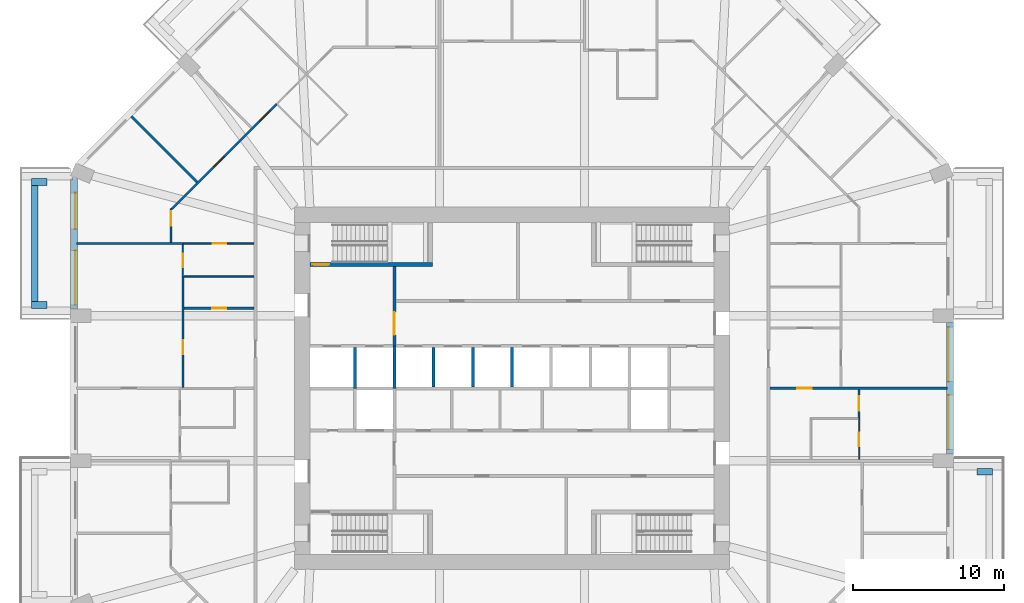
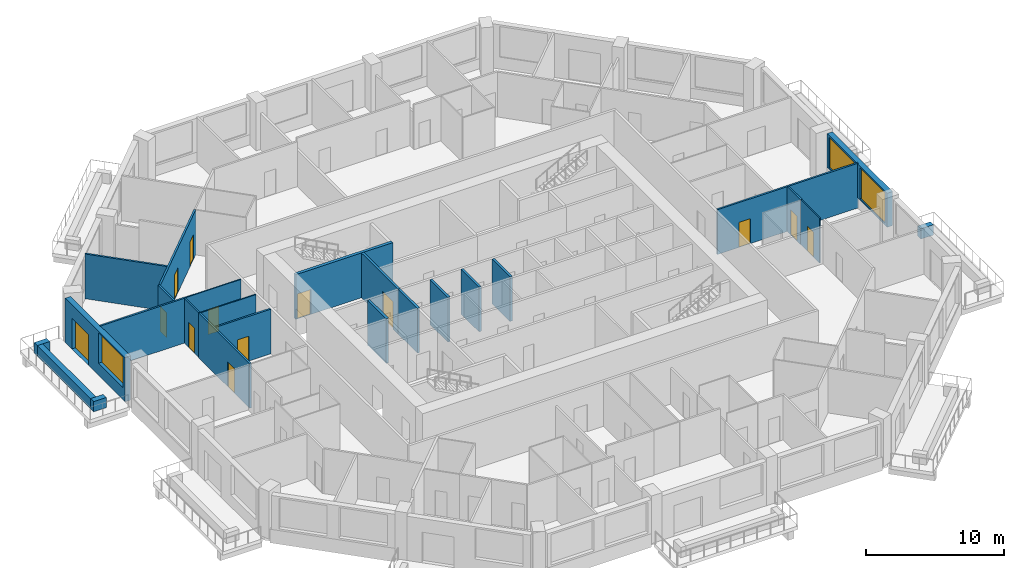
# One storey, part 7 of 13: 25 walls, 13 doors, 3 windows, 16 openings.
"""IFC4 building model written with IfcOpenShell, lengths in metres."""

from ifc_helpers import new_model, si_unit, direction, frame, frame_2d, origin, place, context, subcontext, project, spatial, rectangle, extrude, material, layer, layer_set, type_object, element, fill, save


model = new_model("IFC4")

# Units and contexts
model_context = context("Model", 3, precision=1e-05, world=origin(), true_north=direction((0.0, 1.0)))
body_context = subcontext(model_context, "Body", "Model", "MODEL_VIEW")
ifc_project = project(units=[si_unit("LENGTHUNIT", "METRE"), si_unit("AREAUNIT", "SQUARE_METRE"), si_unit("VOLUMEUNIT", "CUBIC_METRE"), si_unit("PLANEANGLEUNIT", "RADIAN"), si_unit("MASSUNIT", "GRAM", prefix="KILO")], contexts=[model_context])

# Site, building, storey
site_placement = place(None, origin())
site = spatial("IfcSite", under=ifc_project, at=site_placement, CompositionType="ELEMENT")
building_placement = place(site_placement, origin())
building = spatial("IfcBuilding", under=site, at=building_placement, Name="Msitu Wima Residences", CompositionType="ELEMENT")
storey_placement = place(building_placement, frame((0.0, 0.0, 59.10009765625)))
storey = spatial("IfcBuildingStorey", under=building, at=storey_placement, Name="L13", CompositionType="ELEMENT", Elevation=59.10009765625)

# Walls
ifc_material_1 = material(Name="Facing brick")
ifc_layer_1 = layer(ifc_material_1, 0.06494140625, Name="Facing brick")
ifc_material_2 = material(Name="Concrete C40/50", Category="concrete")
ifc_layer_2 = layer(ifc_material_2, 0.156005859375, Name="Concrete C40/50")
ifc_material_3 = material(Name="Waterproofing membrane")
ifc_layer_3 = layer(ifc_material_3, 0.00390625, Name="Waterproofing membrane")
ifc_material_4 = material(Name="Planting soil and planting")
ifc_layer_4 = layer(ifc_material_4, 0.22509765625, Name="Planting soil and planting")
ifc_layer_set_1 = layer_set([ifc_layer_1, ifc_layer_2, ifc_layer_3, ifc_layer_4], Name="Concrete C40/50")
wall_type_1 = type_object("IfcWallType", Name="Balcony planter PLANTER PL450", PredefinedType="USERDEFINED", material=ifc_layer_set_1)
wall_1_placement = place(storey_placement, frame((30.800048828125, -5.52490234375, 0.0), z_axis=(0.0, 0.0, 1.0), x_axis=(1.0, 0.0, 0.0)))
element("IfcWall", 1, at=wall_1_placement, inside=storey, type_object=wall_type_1, Name="Balcony planter E0 L13", ObjectType="PLANTER", PredefinedType="USERDEFINED", context=body_context, shape_type="SweptSolid", body=[
    extrude(rectangle(XDim=1.050048828125, YDim=0.449951171875, at=frame_2d((0.52490234375, 0.0))), origin(), (0.0, 0.0, 1.0), 0.89990234375),
])
wall_2_placement = place(storey_placement, frame((-31.625, 13.449951171875, 0.0), z_axis=(0.0, 0.0, 1.0), x_axis=(0.0, -1.0, 0.0)))
element("IfcWall", 2, at=wall_2_placement, inside=storey, type_object=wall_type_1, Name="Balcony planter W0 L13", ObjectType="PLANTER", PredefinedType="USERDEFINED", context=body_context, shape_type="SweptSolid", body=[
    extrude(rectangle(XDim=7.699951171875, YDim=0.449951171875, at=frame_2d((3.85009765625, 0.0))), origin(), (0.0, 0.0, 1.0), 0.89990234375),
])
for number, where, z_axis, x_axis, name in (
    (3, (-30.800048828125, 13.675048828125, 0.0), (0.0, 0.0, 1.0), (-1.0, 0.0, 0.0), "Balcony planter W0 L13"),
    (4, (-30.800048828125, 5.52490234375, 0.0), (0.0, 0.0, 1.0), (-1.0, 0.0, 0.0), "Balcony planter W0 L13"),
):
    element("IfcWall", number, at=place(storey_placement, frame(where, z_axis=z_axis, x_axis=x_axis)), inside=storey, type_object=wall_type_1, Name=name, ObjectType="PLANTER", PredefinedType="USERDEFINED", context=body_context, shape_type="SweptSolid", body=[
        extrude(rectangle(XDim=1.050048828125, YDim=0.449951171875, at=frame_2d((0.52490234375, 0.0))), origin(), (0.0, 0.0, 1.0), 0.89990234375),
    ])

# Wall, openings, windows
ifc_material_5 = material(Name="Brick (red buff mix)", Category="masonry")
ifc_layer_5 = layer(ifc_material_5, 0.449951171875)
ifc_layer_set_2 = layer_set([ifc_layer_5], Name="Brick (red buff mix)")
wall_type_2 = type_object("IfcWallType", Name="Brick infill wall BW450", PredefinedType="SOLIDWALL", material=ifc_layer_set_2)
wall_3_placement = place(storey_placement, frame((29.02490234375, -4.35009765625, 0.89990234375), z_axis=(0.0, 0.0, 1.0), x_axis=(0.0, 1.0, 0.0)))
wall_3 = element("IfcWall", 5, at=wall_3_placement, inside=storey, type_object=wall_type_2, Name="Brick infill wall L13 E1", PredefinedType="SOLIDWALL", context=body_context, shape_type="SweptSolid", body=[
    extrude(rectangle(XDim=8.7001953125, YDim=0.449951171875, at=frame_2d((4.35009765625, 0.0))), origin(), (0.0, 0.0, 1.0), 3.0),
])
opening_1_placement = place(wall_3_placement, frame((0.300048828125, 0.0, 0.14990234375)))
opening_1 = element("IfcOpeningElement", 6, at=opening_1_placement, cuts=wall_3, Name="Opening W13-15.002", PredefinedType="OPENING", context=body_context, shape_type="SweptSolid", body=[
    extrude(rectangle(XDim=3.60009765625, YDim=2.699951171875, at=frame_2d((1.800048828125, 1.35009765625))), frame((0.0, 0.23486328125, 0.0), z_axis=(0.0, -1.0, 0.0), x_axis=(1.0, 0.0, 0.0)), (0.0, 0.0, 1.0), 0.469970703125),
])
opening_2_placement = place(wall_3_placement, frame((4.800048828125, 0.0, 0.14990234375)))
opening_2 = element("IfcOpeningElement", 7, at=opening_2_placement, cuts=wall_3, Name="Opening W13-15.003", PredefinedType="OPENING", context=body_context, shape_type="SweptSolid", body=[
    extrude(rectangle(XDim=3.60009765625, YDim=2.699951171875, at=frame_2d((1.800048828125, 1.35009765625))), frame((0.0, 0.23486328125, 0.0), z_axis=(0.0, -1.0, 0.0), x_axis=(1.0, 0.0, 0.0)), (0.0, 0.0, 1.0), 0.469970703125),
])
ifc_material_6 = material(Name="Anodised aluminium, bronze finish, clear low-emissivity double glazing", Category="aluminium")
window_type = type_object("IfcWindowType", Name="Window W3600x2700", PartitioningType="DOUBLE_PANEL_VERTICAL", PredefinedType="WINDOW", material=ifc_material_6)
window_1_placement = place(opening_1_placement, origin())
window_1 = element("IfcWindow", 8, at=window_1_placement, inside=storey, type_object=window_type, Name="Window L13 E1.1", OverallHeight=2.699951171875, OverallWidth=3.60009765625, PartitioningType="SINGLE_PANEL", PredefinedType="WINDOW", context=body_context, shape_type="SweptSolid", body=[
    extrude(rectangle(XDim=3.60009765625, YDim=2.699951171875, at=frame_2d((1.800048828125, 1.35009765625))), frame((0.0, 0.135009765625, 0.0), z_axis=(0.0, -1.0, 0.0), x_axis=(1.0, 0.0, 0.0)), (0.0, 0.0, 1.0), 0.06005859375),
])
fill(opening_1, window_1)
window_2_placement = place(opening_2_placement, origin())
window_2 = element("IfcWindow", 9, at=window_2_placement, inside=storey, type_object=window_type, Name="Window L13 E1.2", OverallHeight=2.699951171875, OverallWidth=3.60009765625, PartitioningType="SINGLE_PANEL", PredefinedType="WINDOW", context=body_context, shape_type="SweptSolid", body=[
    extrude(rectangle(XDim=3.60009765625, YDim=2.699951171875, at=frame_2d((1.800048828125, 1.35009765625))), frame((0.0, 0.135009765625, 0.0), z_axis=(0.0, -1.0, 0.0), x_axis=(1.0, 0.0, 0.0)), (0.0, 0.0, 1.0), 0.06005859375),
])
fill(opening_2, window_2)

# Wall, openings, door, window
wall_4_placement = place(storey_placement, frame((-29.02490234375, 13.912841796875, 0.0), z_axis=(0.0, 0.0, 1.0), x_axis=(0.0, -1.0, 0.0)))
wall_4 = element("IfcWall", 10, at=wall_4_placement, inside=storey, type_object=wall_type_2, Name="Brick infill wall L13 W0", PredefinedType="SOLIDWALL", context=body_context, shape_type="SweptSolid", body=[
    extrude(rectangle(XDim=8.662841796875, YDim=0.449951171875, at=frame_2d((4.33154296875, 0.0))), origin(), (0.0, 0.0, 1.0), 3.89990234375),
])
opening_3_placement = place(wall_4_placement, frame((0.9658203125, 0.0, 0.0)))
opening_3 = element("IfcOpeningElement", 11, at=opening_3_placement, cuts=wall_4, Name="Opening D13-15.009", PredefinedType="OPENING", context=body_context, shape_type="SweptSolid", body=[
    extrude(rectangle(XDim=2.39990234375, YDim=2.699951171875, at=frame_2d((1.199951171875, 1.35009765625))), frame((0.0, 0.23486328125, 0.0), z_axis=(0.0, -1.0, 0.0), x_axis=(1.0, 0.0, 0.0)), (0.0, 0.0, 1.0), 0.469970703125),
])
opening_4_placement = place(wall_4_placement, frame((4.781494140625, 0.0, 1.050048828125)))
opening_4 = element("IfcOpeningElement", 12, at=opening_4_placement, cuts=wall_4, Name="Opening W13-15.027", PredefinedType="OPENING", context=body_context, shape_type="SweptSolid", body=[
    extrude(rectangle(XDim=3.60009765625, YDim=2.699951171875, at=frame_2d((1.800048828125, 1.35009765625))), frame((0.0, 0.23486328125, 0.0), z_axis=(0.0, -1.0, 0.0), x_axis=(1.0, 0.0, 0.0)), (0.0, 0.0, 1.0), 0.469970703125),
])
door_type_1 = type_object("IfcDoorType", Name="Balcony door D2400x2700", OperationType="SLIDING_TO_LEFT", PredefinedType="DOOR", material=ifc_material_6)
door_1_placement = place(opening_3_placement, origin())
door_1 = element("IfcDoor", 13, at=door_1_placement, inside=storey, type_object=door_type_1, Name="Balcony door L13 W0", OperationType="SINGLE_SWING_LEFT", OverallHeight=2.699951171875, OverallWidth=2.39990234375, PredefinedType="DOOR", context=body_context, shape_type="SweptSolid", body=[
    extrude(rectangle(XDim=2.39990234375, YDim=2.699951171875, at=frame_2d((1.199951171875, 1.35009765625))), frame((0.0, 0.1298828125, 0.0), z_axis=(0.0, -1.0, 0.0), x_axis=(1.0, 0.0, 0.0)), (0.0, 0.0, 1.0), 0.050048828125),
])
fill(opening_3, door_1)
window_3_placement = place(opening_4_placement, origin())
window_3 = element("IfcWindow", 14, at=window_3_placement, inside=storey, type_object=window_type, Name="Window L13 W0.2", OverallHeight=2.699951171875, OverallWidth=3.60009765625, PartitioningType="SINGLE_PANEL", PredefinedType="WINDOW", context=body_context, shape_type="SweptSolid", body=[
    extrude(rectangle(XDim=3.60009765625, YDim=2.699951171875, at=frame_2d((1.800048828125, 1.35009765625))), frame((0.0, 0.135009765625, 0.0), z_axis=(0.0, -1.0, 0.0), x_axis=(1.0, 0.0, 0.0)), (0.0, 0.0, 1.0), 0.06005859375),
])
fill(opening_4, window_3)

# Wall, opening, door
ifc_material_7 = material(Name="Plaster")
ifc_layer_6 = layer(ifc_material_7, 0.011962890625, Name="Plaster")
ifc_material_8 = material(Name="Concrete blockwork", Category="masonry")
ifc_layer_7 = layer(ifc_material_8, 0.176025390625, Name="Concrete blockwork")
ifc_layer_8 = layer(ifc_material_7, 0.011962890625, Name="Plaster")
ifc_layer_set_3 = layer_set([ifc_layer_6, ifc_layer_7, ifc_layer_8], Name="Concrete blockwork")
wall_type_3 = type_object("IfcWallType", Name="Corridor wall FW200", PredefinedType="PARTITIONING", material=ifc_layer_set_3)
wall_5_placement = place(storey_placement, frame((-7.800048828125, 2.800048828125, 0.0), z_axis=(0.0, 0.0, 1.0), x_axis=(0.0, 1.0, 0.0)))
wall_5 = element("IfcWall", 15, at=wall_5_placement, inside=storey, type_object=wall_type_3, Name="Corridor wall", PredefinedType="PARTITIONING", context=body_context, shape_type="SweptSolid", body=[
    extrude(rectangle(XDim=5.27490234375, YDim=0.199951171875, at=frame_2d((2.637451171875, 0.0))), origin(), (0.0, 0.0, 1.0), 3.949951171875),
])
opening_5_placement = place(wall_5_placement, frame((0.75, 0.0, 0.0)))
opening_5 = element("IfcOpeningElement", 16, at=opening_5_placement, cuts=wall_5, Name="Opening D13-15.016", PredefinedType="OPENING", context=body_context, shape_type="SweptSolid", body=[
    extrude(rectangle(XDim=1.5, YDim=2.39990234375, at=frame_2d((0.75, 1.199951171875))), frame((0.0, 0.10986328125, 0.0), z_axis=(0.0, -1.0, 0.0), x_axis=(1.0, 0.0, 0.0)), (0.0, 0.0, 1.0), 0.219970703125),
])
ifc_material_9 = material(Name="Steel framed glazed door, fire resisting", Category="steel")
door_type_2 = type_object("IfcDoorType", Name="Lobby door D07 1500x2400", OperationType="DOUBLE_DOOR_SINGLE_SWING", PredefinedType="DOOR", material=ifc_material_9)
door_2_placement = place(opening_5_placement, origin())
door_2 = element("IfcDoor", 17, at=door_2_placement, inside=storey, type_object=door_type_2, Name="Lobby door", OperationType="DOUBLE_DOOR_SINGLE_SWING", OverallHeight=2.39990234375, OverallWidth=1.5, PredefinedType="DOOR", context=body_context, shape_type="SweptSolid", body=[
    extrude(rectangle(XDim=1.5, YDim=2.39990234375, at=frame_2d((0.75, 1.199951171875))), frame((0.0, 0.02490234375, 0.0), z_axis=(0.0, -1.0, 0.0), x_axis=(1.0, 0.0, 0.0)), (0.0, 0.0, 1.0), 0.050048828125),
])
fill(opening_5, door_2)

# Walls
ifc_layer_9 = layer(ifc_material_7, 0.011962890625, Name="Plaster")
ifc_layer_10 = layer(ifc_material_8, 0.1259765625, Name="Concrete blockwork")
ifc_layer_11 = layer(ifc_material_7, 0.011962890625, Name="Plaster")
ifc_layer_set_4 = layer_set([ifc_layer_9, ifc_layer_10, ifc_layer_11], Name="Concrete blockwork")
wall_type_4 = type_object("IfcWallType", Name="Partition PW150", PredefinedType="PARTITIONING", material=ifc_layer_set_4)
wall_6_placement = place(storey_placement, frame((-28.85498046875, 9.60009765625, 0.0), z_axis=(0.0, 0.0, 1.0), x_axis=(1.0, 0.0, 0.0)))
element("IfcWall", 18, at=wall_6_placement, inside=storey, type_object=wall_type_4, Name="Partition", PredefinedType="PARTITIONING", context=body_context, shape_type="SweptSolid", body=[
    extrude(rectangle(XDim=7.074951171875, YDim=0.14990234375, at=frame_2d((3.53759765625, 0.0))), origin(), (0.0, 0.0, 1.0), 3.949951171875),
])
wall_7_placement = place(storey_placement, frame((-25.2177734375, 18.017578125, 0.0), z_axis=(0.0, 0.0, 1.0), x_axis=(0.707126629519, -0.707086932297, 0.0)))
element("IfcWall", 19, at=wall_7_placement, inside=storey, type_object=wall_type_4, Name="Partition", PredefinedType="PARTITIONING", context=body_context, shape_type="SweptSolid", body=[
    extrude(rectangle(XDim=6.150146484375, YDim=0.14990234375, at=frame_2d((3.0751953125, 0.0))), origin(), (0.0, 0.0, 1.0), 3.949951171875),
])

# Wall, opening, door
wall_8_placement = place(storey_placement, frame((-22.60009765625, 9.675048828125, 0.0), z_axis=(0.0, 0.0, 1.0), x_axis=(0.0, 1.0, 0.0)))
wall_8 = element("IfcWall", 20, at=wall_8_placement, inside=storey, type_object=wall_type_4, Name="Partition", PredefinedType="PARTITIONING", context=body_context, shape_type="SweptSolid", body=[
    extrude(rectangle(XDim=2.23193359375, YDim=0.14990234375, at=frame_2d((1.115966796875, 0.0))), origin(), (0.0, 0.0, 1.0), 3.949951171875),
])
opening_6_placement = place(wall_8_placement, frame((1.10009765625, 0.0, 0.0)))
opening_6 = element("IfcOpeningElement", 21, at=opening_6_placement, cuts=wall_8, Name="Opening D13-15.064", PredefinedType="OPENING", context=body_context, shape_type="SweptSolid", body=[
    extrude(rectangle(XDim=0.949951171875, YDim=2.199951171875, at=frame_2d((0.47509765625, 1.10009765625))), frame((0.0, 0.0849609375, 0.0), z_axis=(0.0, -1.0, 0.0), x_axis=(1.0, 0.0, 0.0)), (0.0, 0.0, 1.0), 0.169921875),
])
ifc_material_10 = material(Name="Timber flush door", Category="wood")
door_type_3 = type_object("IfcDoorType", Name="Room door D12 950x2200", OperationType="SINGLE_SWING_LEFT", PredefinedType="DOOR", material=ifc_material_10)
door_3_placement = place(opening_6_placement, origin())
door_3 = element("IfcDoor", 22, at=door_3_placement, inside=storey, type_object=door_type_3, Name="Room door", OperationType="SINGLE_SWING_LEFT", OverallHeight=2.199951171875, OverallWidth=0.949951171875, PredefinedType="DOOR", context=body_context, shape_type="SweptSolid", body=[
    extrude(rectangle(XDim=0.949951171875, YDim=2.199951171875, at=frame_2d((0.47509765625, 1.10009765625))), frame((0.0, 0.02490234375, 0.0), z_axis=(0.0, -1.0, 0.0), x_axis=(1.0, 0.0, 0.0)), (0.0, 0.0, 1.0), 0.050048828125),
])
fill(opening_6, door_3)

# Wall, openings, doors
wall_9_placement = place(storey_placement, frame((-22.546875, 11.885009765625, 0.0), z_axis=(0.0, 0.0, 1.0), x_axis=(0.707106781187, 0.707106781187, 0.0)))
wall_9 = element("IfcWall", 23, at=wall_9_placement, inside=storey, type_object=wall_type_4, Name="Partition", PredefinedType="PARTITIONING", context=body_context, shape_type="SweptSolid", body=[
    extrude(rectangle(XDim=9.830078125, YDim=0.14990234375, at=frame_2d((4.9150390625, 0.0))), origin(), (0.0, 0.0, 1.0), 3.949951171875),
])
opening_7_placement = place(wall_9_placement, frame((3.949951171875, 0.0, 0.0)))
opening_7 = element("IfcOpeningElement", 24, at=opening_7_placement, cuts=wall_9, Name="Opening D13-15.059", PredefinedType="OPENING", context=body_context, shape_type="SweptSolid", body=[
    extrude(rectangle(XDim=0.949951171875, YDim=2.199951171875, at=frame_2d((0.47509765625, 1.10009765625))), frame((0.0, 0.0849609375, 0.0), z_axis=(0.0, -1.0, 0.0), x_axis=(1.0, 0.0, 0.0)), (0.0, 0.0, 1.0), 0.169921875),
])
opening_8_placement = place(wall_9_placement, frame((8.25, 0.0, 0.0)))
opening_8 = element("IfcOpeningElement", 25, at=opening_8_placement, cuts=wall_9, Name="Opening D13-15.061", PredefinedType="OPENING", context=body_context, shape_type="SweptSolid", body=[
    extrude(rectangle(XDim=0.949951171875, YDim=2.199951171875, at=frame_2d((0.47509765625, 1.10009765625))), frame((0.0, 0.0849609375, 0.0), z_axis=(0.0, -1.0, 0.0), x_axis=(1.0, 0.0, 0.0)), (0.0, 0.0, 1.0), 0.169921875),
])
door_4_placement = place(opening_7_placement, origin())
door_4 = element("IfcDoor", 26, at=door_4_placement, inside=storey, type_object=door_type_3, Name="Room door", OperationType="SINGLE_SWING_LEFT", OverallHeight=2.199951171875, OverallWidth=0.949951171875, PredefinedType="DOOR", context=body_context, shape_type="SweptSolid", body=[
    extrude(rectangle(XDim=0.949951171875, YDim=2.199951171875, at=frame_2d((0.47509765625, 1.10009765625))), frame((0.0, 0.02490234375, 0.0), z_axis=(0.0, -1.0, 0.0), x_axis=(1.0, 0.0, 0.0)), (0.0, 0.0, 1.0), 0.050048828125),
])
fill(opening_7, door_4)
door_5_placement = place(opening_8_placement, origin())
door_5 = element("IfcDoor", 27, at=door_5_placement, inside=storey, type_object=door_type_3, Name="Room door", OperationType="SINGLE_SWING_LEFT", OverallHeight=2.199951171875, OverallWidth=0.949951171875, PredefinedType="DOOR", context=body_context, shape_type="SweptSolid", body=[
    extrude(rectangle(XDim=0.949951171875, YDim=2.199951171875, at=frame_2d((0.47509765625, 1.10009765625))), frame((0.0, 0.02490234375, 0.0), z_axis=(0.0, -1.0, 0.0), x_axis=(1.0, 0.0, 0.0)), (0.0, 0.0, 1.0), 0.050048828125),
])
fill(opening_8, door_5)

# Wall, opening, door
wall_10_placement = place(storey_placement, frame((-21.800048828125, 0.050048828125, 0.0), z_axis=(0.0, 0.0, 1.0), x_axis=(0.0, 1.0, 0.0)))
wall_10 = element("IfcWall", 28, at=wall_10_placement, inside=storey, type_object=wall_type_4, Name="Partition", PredefinedType="PARTITIONING", context=body_context, shape_type="SweptSolid", body=[
    extrude(rectangle(XDim=7.369873046875, YDim=0.14990234375, at=frame_2d((3.68505859375, 0.0))), origin(), (0.0, 0.0, 1.0), 3.949951171875),
])
opening_9_placement = place(wall_10_placement, frame((2.199951171875, 0.0, 0.0)))
opening_9 = element("IfcOpeningElement", 29, at=opening_9_placement, cuts=wall_10, Name="Opening D13-15.046", PredefinedType="OPENING", context=body_context, shape_type="SweptSolid", body=[
    extrude(rectangle(XDim=0.949951171875, YDim=2.199951171875, at=frame_2d((0.47509765625, 1.10009765625))), frame((0.0, 0.0849609375, 0.0), z_axis=(0.0, -1.0, 0.0), x_axis=(1.0, 0.0, 0.0)), (0.0, 0.0, 1.0), 0.169921875),
])
door_6_placement = place(opening_9_placement, origin())
door_6 = element("IfcDoor", 30, at=door_6_placement, inside=storey, type_object=door_type_3, Name="Room door", OperationType="SINGLE_SWING_LEFT", OverallHeight=2.199951171875, OverallWidth=0.949951171875, PredefinedType="DOOR", context=body_context, shape_type="SweptSolid", body=[
    extrude(rectangle(XDim=0.949951171875, YDim=2.199951171875, at=frame_2d((0.47509765625, 1.10009765625))), frame((0.0, 0.02490234375, 0.0), z_axis=(0.0, -1.0, 0.0), x_axis=(1.0, 0.0, 0.0)), (0.0, 0.0, 1.0), 0.050048828125),
])
fill(opening_9, door_6)

wall_11_placement = place(storey_placement, frame((-21.72509765625, 5.300048828125, 0.0), z_axis=(0.0, 0.0, 1.0), x_axis=(1.0, 0.0, 0.0)))
wall_11 = element("IfcWall", 31, at=wall_11_placement, inside=storey, type_object=wall_type_4, Name="Partition", PredefinedType="PARTITIONING", context=body_context, shape_type="SweptSolid", body=[
    extrude(rectangle(XDim=4.625, YDim=0.14990234375, at=frame_2d((2.3125, 0.0))), origin(), (0.0, 0.0, 1.0), 3.949951171875),
])
opening_10_placement = place(wall_11_placement, frame((1.85009765625, 0.0, 0.0)))
opening_10 = element("IfcOpeningElement", 32, at=opening_10_placement, cuts=wall_11, Name="Opening D13-15.047", PredefinedType="OPENING", context=body_context, shape_type="SweptSolid", body=[
    extrude(rectangle(XDim=0.949951171875, YDim=2.199951171875, at=frame_2d((0.47509765625, 1.10009765625))), frame((0.0, 0.0849609375, 0.0), z_axis=(0.0, -1.0, 0.0), x_axis=(1.0, 0.0, 0.0)), (0.0, 0.0, 1.0), 0.169921875),
])
door_7_placement = place(opening_10_placement, origin())
door_7 = element("IfcDoor", 33, at=door_7_placement, inside=storey, type_object=door_type_3, Name="Room door", OperationType="SINGLE_SWING_RIGHT", OverallHeight=2.199951171875, OverallWidth=0.949951171875, PredefinedType="DOOR", context=body_context, shape_type="SweptSolid", body=[
    extrude(rectangle(XDim=0.949951171875, YDim=2.199951171875, at=frame_2d((0.47509765625, 1.10009765625))), frame((0.0, 0.02490234375, 0.0), z_axis=(0.0, -1.0, 0.0), x_axis=(1.0, 0.0, 0.0)), (0.0, 0.0, 1.0), 0.050048828125),
])
fill(opening_10, door_7)

wall_12_placement = place(storey_placement, frame((17.10009765625, 0.0, 0.0), z_axis=(0.0, 0.0, 1.0), x_axis=(1.0, 0.0, 0.0)))
wall_12 = element("IfcWall", 34, at=wall_12_placement, inside=storey, type_object=wall_type_4, Name="Partition", PredefinedType="PARTITIONING", context=body_context, shape_type="SweptSolid", body=[
    extrude(rectangle(XDim=11.7548828125, YDim=0.14990234375, at=frame_2d((5.87744140625, 0.0))), origin(), (0.0, 0.0, 1.0), 3.949951171875),
])
opening_11_placement = place(wall_12_placement, frame((1.800048828125, 0.0, 0.0)))
opening_11 = element("IfcOpeningElement", 35, at=opening_11_placement, cuts=wall_12, Name="Opening D13-15.038", PredefinedType="OPENING", context=body_context, shape_type="SweptSolid", body=[
    extrude(rectangle(XDim=0.949951171875, YDim=2.199951171875, at=frame_2d((0.47509765625, 1.10009765625))), frame((0.0, 0.0849609375, 0.0), z_axis=(0.0, -1.0, 0.0), x_axis=(1.0, 0.0, 0.0)), (0.0, 0.0, 1.0), 0.169921875),
])
door_8_placement = place(opening_11_placement, origin())
door_8 = element("IfcDoor", 36, at=door_8_placement, inside=storey, type_object=door_type_3, Name="Room door", OperationType="SINGLE_SWING_RIGHT", OverallHeight=2.199951171875, OverallWidth=0.949951171875, PredefinedType="DOOR", context=body_context, shape_type="SweptSolid", body=[
    extrude(rectangle(XDim=0.949951171875, YDim=2.199951171875, at=frame_2d((0.47509765625, 1.10009765625))), frame((0.0, 0.02490234375, 0.0), z_axis=(0.0, -1.0, 0.0), x_axis=(1.0, 0.0, 0.0)), (0.0, 0.0, 1.0), 0.050048828125),
])
fill(opening_11, door_8)

wall_13_placement = place(storey_placement, frame((23.0, -1.97998046875, 0.0), z_axis=(0.0, 0.0, 1.0), x_axis=(0.0, 1.0, 0.0)))
wall_13 = element("IfcWall", 37, at=wall_13_placement, inside=storey, type_object=wall_type_4, Name="Partition", PredefinedType="PARTITIONING", context=body_context, shape_type="SweptSolid", body=[
    extrude(rectangle(XDim=1.905029296875, YDim=0.14990234375, at=frame_2d((0.95263671875, 0.0))), origin(), (0.0, 0.0, 1.0), 3.949951171875),
])
opening_12_placement = place(wall_13_placement, frame((0.5, 0.0, 0.0)))
opening_12 = element("IfcOpeningElement", 38, at=opening_12_placement, cuts=wall_13, Name="Opening D13-15.071", PredefinedType="OPENING", context=body_context, shape_type="SweptSolid", body=[
    extrude(rectangle(XDim=0.949951171875, YDim=2.199951171875, at=frame_2d((0.47509765625, 1.10009765625))), frame((0.0, 0.0849609375, 0.0), z_axis=(0.0, -1.0, 0.0), x_axis=(1.0, 0.0, 0.0)), (0.0, 0.0, 1.0), 0.169921875),
])
door_9_placement = place(opening_12_placement, origin())
door_9 = element("IfcDoor", 39, at=door_9_placement, inside=storey, type_object=door_type_3, Name="Room door", OperationType="SINGLE_SWING_LEFT", OverallHeight=2.199951171875, OverallWidth=0.949951171875, PredefinedType="DOOR", context=body_context, shape_type="SweptSolid", body=[
    extrude(rectangle(XDim=0.949951171875, YDim=2.199951171875, at=frame_2d((0.47509765625, 1.10009765625))), frame((0.0, 0.02490234375, 0.0), z_axis=(0.0, -1.0, 0.0), x_axis=(1.0, 0.0, 0.0)), (0.0, 0.0, 1.0), 0.050048828125),
])
fill(opening_12, door_9)

# Walls
ifc_material_11 = material(Name="Fire-rated board")
ifc_layer_12 = layer(ifc_material_11, 0.02490234375, Name="Fire-rated board")
ifc_material_12 = material(Name="Light-gauge stud framing with mineral wool")
ifc_layer_13 = layer(ifc_material_12, 0.14990234375, Name="Light-gauge stud framing with mineral wool")
ifc_layer_14 = layer(ifc_material_11, 0.02490234375, Name="Fire-rated board")
ifc_layer_set_5 = layer_set([ifc_layer_12, ifc_layer_13, ifc_layer_14], Name="Light-gauge stud framing with mineral wool")
wall_type_5 = type_object("IfcWallType", Name="Shaft wall SH200", PredefinedType="PARTITIONING", material=ifc_layer_set_5)
wall_14_placement = place(storey_placement, frame((-10.39990234375, 0.0, 0.0), z_axis=(0.0, 0.0, 1.0), x_axis=(0.0, 1.0, 0.0)))
element("IfcWall", 40, at=wall_14_placement, inside=storey, type_object=wall_type_5, Name="Shaft wall", PredefinedType="PARTITIONING", context=body_context, shape_type="SweptSolid", body=[
    extrude(rectangle(XDim=2.699951171875, YDim=0.199951171875, at=frame_2d((1.35009765625, 0.0))), origin(), (0.0, 0.0, 1.0), 3.949951171875),
])
wall_15_placement = place(storey_placement, frame((-7.800048828125, 0.0, 0.0), z_axis=(0.0, 0.0, 1.0), x_axis=(0.0, 1.0, 0.0)))
element("IfcWall", 41, at=wall_15_placement, inside=storey, type_object=wall_type_5, Name="Shaft wall", PredefinedType="PARTITIONING", context=body_context, shape_type="SweptSolid", body=[
    extrude(rectangle(XDim=2.800048828125, YDim=0.199951171875, at=frame_2d((1.39990234375, 0.0))), origin(), (0.0, 0.0, 1.0), 3.949951171875),
])
for number, where, z_axis, x_axis, name in (
    (42, (-5.199951171875, 0.10009765625, 0.0), (0.0, 0.0, 1.0), (0.0, 1.0, 0.0), "Shaft wall"),
    (43, (-2.60009765625, 0.10009765625, 0.0), (0.0, 0.0, 1.0), (0.0, 1.0, 0.0), "Shaft wall"),
    (44, (0.0, 0.10009765625, 0.0), (0.0, 0.0, 1.0), (0.0, 1.0, 0.0), "Shaft wall"),
):
    element("IfcWall", number, at=place(storey_placement, frame(where, z_axis=z_axis, x_axis=x_axis)), inside=storey, type_object=wall_type_5, Name=name, PredefinedType="PARTITIONING", context=body_context, shape_type="SweptSolid", body=[
        extrude(rectangle(XDim=2.599853515625, YDim=0.199951171875, at=frame_2d((1.2998046875, 0.0))), origin(), (0.0, 0.0, 1.0), 3.949951171875),
    ])

# Wall, opening, door
ifc_material_13 = material(Name="Concrete C50/60", Category="concrete")
ifc_layer_15 = layer(ifc_material_13, 0.25)
ifc_layer_set_6 = layer_set([ifc_layer_15], Name="Concrete C50/60")
wall_type_6 = type_object("IfcWallType", Name="Stair enclosure wall SW250", PredefinedType="SHEAR", material=ifc_layer_set_6)
wall_16_placement = place(storey_placement, frame((-13.3701171875, 8.199951171875, 0.0), z_axis=(0.0, 0.0, 1.0), x_axis=(1.0, 0.0, 0.0)))
wall_16 = element("IfcWall", 45, at=wall_16_placement, inside=storey, type_object=wall_type_6, Name="Stair enclosure wall", PredefinedType="SHEAR", context=body_context, shape_type="SweptSolid", body=[
    extrude(rectangle(XDim=8.09521484375, YDim=0.25, at=frame_2d((4.047607421875, 0.0))), origin(), (0.0, 0.0, 1.0), 3.949951171875),
])
opening_13_placement = place(wall_16_placement, frame((0.14990234375, 0.0, 0.0)))
opening_13 = element("IfcOpeningElement", 46, at=opening_13_placement, cuts=wall_16, Name="Opening D13-15.033", PredefinedType="OPENING", context=body_context, shape_type="SweptSolid", body=[
    extrude(rectangle(XDim=1.10009765625, YDim=2.199951171875, at=frame_2d((0.550048828125, 1.10009765625))), frame((0.0, 0.135009765625, 0.0), z_axis=(0.0, -1.0, 0.0), x_axis=(1.0, 0.0, 0.0)), (0.0, 0.0, 1.0), 0.27001953125),
])
ifc_material_14 = material(Name="Steel door, fire resisting, panic bar", Category="steel")
door_type_4 = type_object("IfcDoorType", Name="Stair door D06 1100x2200", OperationType="SINGLE_SWING_LEFT", PredefinedType="DOOR", material=ifc_material_14)
door_10_placement = place(opening_13_placement, origin())
door_10 = element("IfcDoor", 47, at=door_10_placement, inside=storey, type_object=door_type_4, Name="Stair door", OperationType="SINGLE_SWING_LEFT", OverallHeight=2.199951171875, OverallWidth=1.10009765625, PredefinedType="DOOR", context=body_context, shape_type="SweptSolid", body=[
    extrude(rectangle(XDim=1.10009765625, YDim=2.199951171875, at=frame_2d((0.550048828125, 1.10009765625))), frame((0.0, 0.02490234375, 0.0), z_axis=(0.0, -1.0, 0.0), x_axis=(1.0, 0.0, 0.0)), (0.0, 0.0, 1.0), 0.050048828125),
])
fill(opening_13, door_10)

ifc_material_15 = material(Name="Ceramic tiles")
ifc_layer_16 = layer(ifc_material_15, 0.008056640625, Name="Ceramic tiles")
ifc_material_16 = material(Name="Moisture-resistant board")
ifc_layer_17 = layer(ifc_material_16, 0.012451171875, Name="Moisture-resistant board")
ifc_layer_18 = layer(ifc_material_12, 0.06689453125, Name="Light-gauge stud framing with mineral wool")
ifc_layer_19 = layer(ifc_material_16, 0.012451171875, Name="Moisture-resistant board")
ifc_layer_set_7 = layer_set([ifc_layer_16, ifc_layer_17, ifc_layer_18, ifc_layer_19], Name="Light-gauge stud framing with mineral wool")
wall_type_7 = type_object("IfcWallType", Name="Wet wall PW100", PredefinedType="PARTITIONING", material=ifc_layer_set_7)
wall_17_placement = place(storey_placement, frame((-21.780029296875, 9.60009765625, 0.0), z_axis=(0.0, 0.0, 1.0), x_axis=(1.0, 0.0, 0.0)))
wall_17 = element("IfcWall", 48, at=wall_17_placement, inside=storey, type_object=wall_type_7, Name="Wet wall", PredefinedType="PARTITIONING", context=body_context, shape_type="SweptSolid", body=[
    extrude(rectangle(XDim=4.679931640625, YDim=0.10009765625, at=frame_2d((2.33984375, 0.0))), origin(), (0.0, 0.0, 1.0), 3.949951171875),
])
opening_14_placement = place(wall_17_placement, frame((1.949951171875, 0.0, 0.0)))
opening_14 = element("IfcOpeningElement", 49, at=opening_14_placement, cuts=wall_17, Name="Opening D13-15.057", PredefinedType="OPENING", context=body_context, shape_type="SweptSolid", body=[
    extrude(rectangle(XDim=0.89990234375, YDim=2.199951171875, at=frame_2d((0.449951171875, 1.10009765625))), frame((0.0, 0.06005859375, 0.0), z_axis=(0.0, -1.0, 0.0), x_axis=(1.0, 0.0, 0.0)), (0.0, 0.0, 1.0), 0.1201171875),
])
ifc_material_17 = material(Name="Timber flush door, moisture resistant", Category="wood")
door_type_5 = type_object("IfcDoorType", Name="Bathroom door D03 900x2200", OperationType="SINGLE_SWING_LEFT", PredefinedType="DOOR", material=ifc_material_17)
door_11_placement = place(opening_14_placement, origin())
door_11 = element("IfcDoor", 50, at=door_11_placement, inside=storey, type_object=door_type_5, Name="Bathroom door", OperationType="SINGLE_SWING_LEFT", OverallHeight=2.199951171875, OverallWidth=0.89990234375, PredefinedType="DOOR", context=body_context, shape_type="SweptSolid", body=[
    extrude(rectangle(XDim=0.89990234375, YDim=2.199951171875, at=frame_2d((0.449951171875, 1.10009765625))), frame((0.0, 0.02490234375, 0.0), z_axis=(0.0, -1.0, 0.0), x_axis=(1.0, 0.0, 0.0)), (0.0, 0.0, 1.0), 0.050048828125),
])
fill(opening_14, door_11)

wall_18_placement = place(storey_placement, frame((-21.800048828125, 7.419921875, 0.0), z_axis=(0.0, 0.0, 1.0), x_axis=(0.0, 1.0, 0.0)))
wall_18 = element("IfcWall", 51, at=wall_18_placement, inside=storey, type_object=wall_type_7, Name="Wet wall", PredefinedType="PARTITIONING", context=body_context, shape_type="SweptSolid", body=[
    extrude(rectangle(XDim=2.10498046875, YDim=0.10009765625, at=frame_2d((1.052490234375, 0.0))), origin(), (0.0, 0.0, 1.0), 3.949951171875),
])
opening_15_placement = place(wall_18_placement, frame((0.60009765625, 0.0, 0.0)))
opening_15 = element("IfcOpeningElement", 52, at=opening_15_placement, cuts=wall_18, Name="Opening D13-15.056", PredefinedType="OPENING", context=body_context, shape_type="SweptSolid", body=[
    extrude(rectangle(XDim=0.89990234375, YDim=2.199951171875, at=frame_2d((0.449951171875, 1.10009765625))), frame((0.0, 0.06005859375, 0.0), z_axis=(0.0, -1.0, 0.0), x_axis=(1.0, 0.0, 0.0)), (0.0, 0.0, 1.0), 0.1201171875),
])
door_12_placement = place(opening_15_placement, origin())
door_12 = element("IfcDoor", 53, at=door_12_placement, inside=storey, type_object=door_type_5, Name="Bathroom door", OperationType="SINGLE_SWING_RIGHT", OverallHeight=2.199951171875, OverallWidth=0.89990234375, PredefinedType="DOOR", context=body_context, shape_type="SweptSolid", body=[
    extrude(rectangle(XDim=0.89990234375, YDim=2.199951171875, at=frame_2d((0.449951171875, 1.10009765625))), frame((0.0, 0.02490234375, 0.0), z_axis=(0.0, -1.0, 0.0), x_axis=(1.0, 0.0, 0.0)), (0.0, 0.0, 1.0), 0.050048828125),
])
fill(opening_15, door_12)

# Wall
wall_19_placement = place(storey_placement, frame((-21.72509765625, 7.39990234375, 0.0), z_axis=(0.0, 0.0, 1.0), x_axis=(1.0, 0.0, 0.0)))
element("IfcWall", 54, at=wall_19_placement, inside=storey, type_object=wall_type_7, Name="Wet wall", PredefinedType="PARTITIONING", context=body_context, shape_type="SweptSolid", body=[
    extrude(rectangle(XDim=4.625, YDim=0.10009765625, at=frame_2d((2.3125, 0.0))), origin(), (0.0, 0.0, 1.0), 3.949951171875),
])

# Wall, opening, door
wall_20_placement = place(storey_placement, frame((23.0, -4.699951171875, 0.0), z_axis=(0.0, 0.0, 1.0), x_axis=(0.0, 1.0, 0.0)))
wall_20 = element("IfcWall", 55, at=wall_20_placement, inside=storey, type_object=wall_type_7, Name="Wet wall", PredefinedType="PARTITIONING", context=body_context, shape_type="SweptSolid", body=[
    extrude(rectangle(XDim=2.719970703125, YDim=0.10009765625, at=frame_2d((1.35986328125, 0.0))), origin(), (0.0, 0.0, 1.0), 3.949951171875),
])
opening_16_placement = place(wall_20_placement, frame((0.85009765625, 0.0, 0.0)))
opening_16 = element("IfcOpeningElement", 56, at=opening_16_placement, cuts=wall_20, Name="Opening D13-15.082", PredefinedType="OPENING", context=body_context, shape_type="SweptSolid", body=[
    extrude(rectangle(XDim=0.89990234375, YDim=2.199951171875, at=frame_2d((0.449951171875, 1.10009765625))), frame((0.0, 0.06005859375, 0.0), z_axis=(0.0, -1.0, 0.0), x_axis=(1.0, 0.0, 0.0)), (0.0, 0.0, 1.0), 0.1201171875),
])
door_13_placement = place(opening_16_placement, origin())
door_13 = element("IfcDoor", 57, at=door_13_placement, inside=storey, type_object=door_type_5, Name="Bathroom door", OperationType="SINGLE_SWING_LEFT", OverallHeight=2.199951171875, OverallWidth=0.89990234375, PredefinedType="DOOR", context=body_context, shape_type="SweptSolid", body=[
    extrude(rectangle(XDim=0.89990234375, YDim=2.199951171875, at=frame_2d((0.449951171875, 1.10009765625))), frame((0.0, 0.02490234375, 0.0), z_axis=(0.0, -1.0, 0.0), x_axis=(1.0, 0.0, 0.0)), (0.0, 0.0, 1.0), 0.050048828125),
])
fill(opening_16, door_13)

save(model, "model.ifc")
